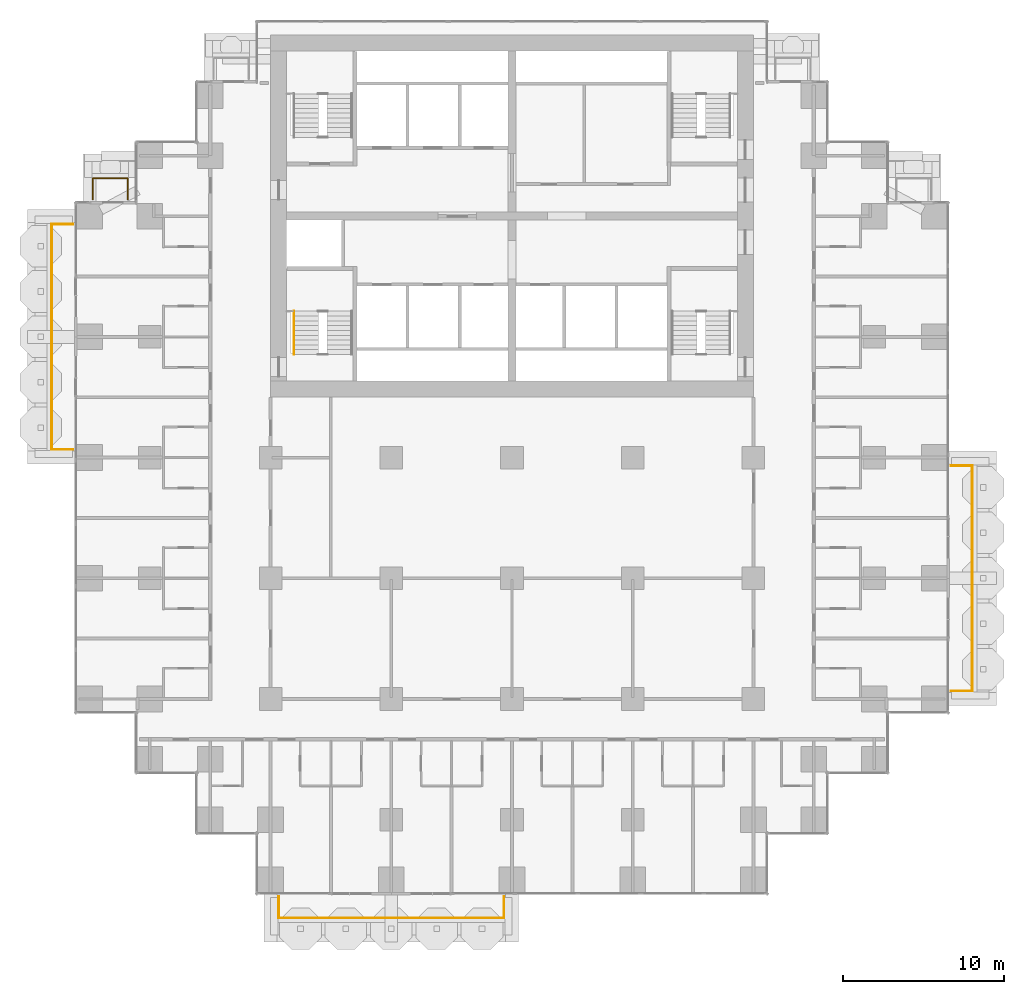
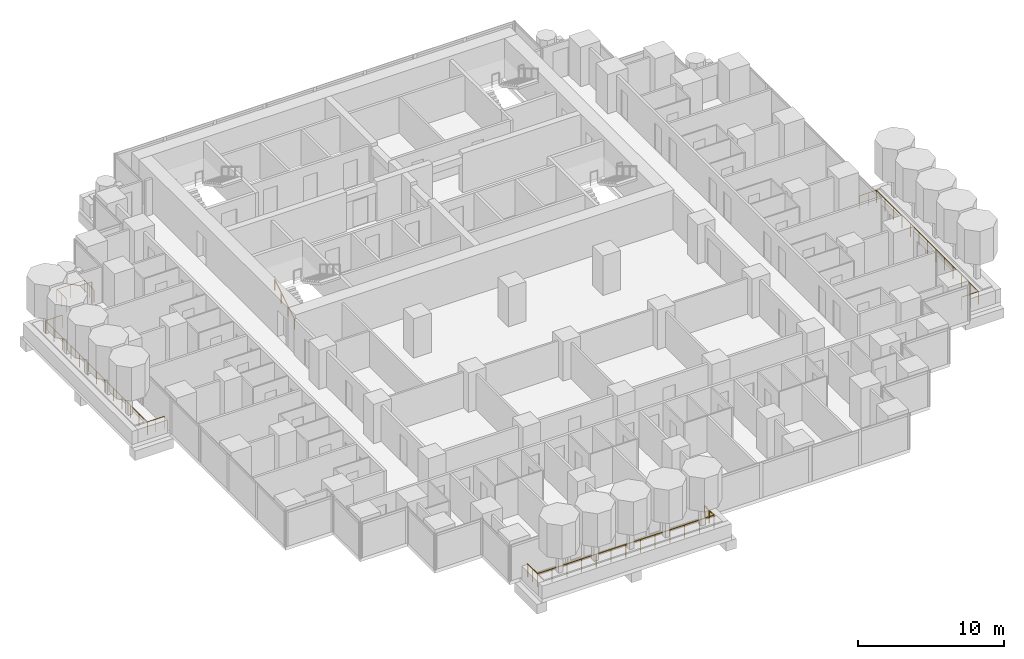
# One storey, part 16 of 18: 5 railings.
"""IFC4 building model written with IfcOpenShell, lengths in metres."""

from ifc_helpers import new_model, si_unit, direction, frame, origin, origin_2d, place, context, subcontext, project, spatial, circle, extrude, material, type_object, element, save


model = new_model("IFC4")

# Units and contexts
model_context = context("Model", 3, precision=1e-05, world=origin(), true_north=direction((0.0, 1.0)))
body_context = subcontext(model_context, "Body", "Model", "MODEL_VIEW")
ifc_project = project(units=[si_unit("LENGTHUNIT", "METRE"), si_unit("AREAUNIT", "SQUARE_METRE"), si_unit("VOLUMEUNIT", "CUBIC_METRE"), si_unit("PLANEANGLEUNIT", "RADIAN"), si_unit("MASSUNIT", "GRAM", prefix="KILO")], contexts=[model_context])

# Site, building, storey
site_placement = place(None, origin())
site = spatial("IfcSite", under=ifc_project, at=site_placement, CompositionType="ELEMENT")
building_placement = place(site_placement, origin())
building = spatial("IfcBuilding", under=site, at=building_placement, Name="Pilkhan Gate Tower", CompositionType="ELEMENT")
storey_placement = place(building_placement, frame((0.0, 0.0, 42.800048828125)))
storey = spatial("IfcBuildingStorey", under=building, at=storey_placement, Name="L07", CompositionType="ELEMENT", Elevation=42.800048828125)

# Railings
ifc_material_1 = material(Name="Pale anodised aluminium posts, laminated glass infill", Category="aluminium")
railing_type_1 = type_object("IfcRailingType", Name="Balcony guard G1", PredefinedType="BALUSTRADE", material=ifc_material_1)
railing_1_placement = place(storey_placement, frame((60.5, 40.22998046875, 0.0)))
element("IfcRailing", 1, at=railing_1_placement, inside=storey, type_object=railing_type_1, Name="Balcony guard L07 S", PredefinedType="BALUSTRADE", context=body_context, shape_type="SweptSolid", body=[
    extrude(circle(Radius=0.02392578125, at=origin_2d()), frame((0.0, 0.0, 1.076171875), z_axis=(0.0, -1.0, 0.0), x_axis=(1.0, 0.0, 0.0)), (0.0, 0.0, 1.0), 1.330078125),
    extrude(circle(Radius=0.02392578125, at=origin_2d()), frame((0.0, -1.330078125, 1.076171875), z_axis=(1.0, 0.0, 0.0), x_axis=(0.0, 1.0, 0.0)), (0.0, 0.0, 1.0), 14.0),
    extrude(circle(Radius=0.02392578125, at=origin_2d()), frame((14.0, -1.330078125, 1.076171875), z_axis=(0.0, 1.0, 0.0), x_axis=(-1.0, 0.0, 0.0)), (0.0, 0.0, 1.0), 1.330078125),
    extrude(circle(Radius=0.02099609375, at=origin_2d()), origin(), (0.0, 0.0, 1.0), 1.052001953125),
    extrude(circle(Radius=0.02099609375, at=origin_2d()), frame((0.0, -0.6650390625, 0.0)), (0.0, 0.0, 1.0), 1.052001953125),
    extrude(circle(Radius=0.02099609375, at=origin_2d()), frame((0.0, -1.330078125, 0.0)), (0.0, 0.0, 1.0), 1.052001953125),
    extrude(circle(Radius=0.02099609375, at=origin_2d()), frame((1.166748046875, -1.330078125, 0.0)), (0.0, 0.0, 1.0), 1.052001953125),
    extrude(circle(Radius=0.02099609375, at=origin_2d()), frame((2.333251953125, -1.330078125, 0.0)), (0.0, 0.0, 1.0), 1.052001953125),
    extrude(circle(Radius=0.02099609375, at=origin_2d()), frame((3.5, -1.330078125, 0.0)), (0.0, 0.0, 1.0), 1.052001953125),
    extrude(circle(Radius=0.02099609375, at=origin_2d()), frame((4.666748046875, -1.330078125, 0.0)), (0.0, 0.0, 1.0), 1.052001953125),
    extrude(circle(Radius=0.02099609375, at=origin_2d()), frame((5.833251953125, -1.330078125, 0.0)), (0.0, 0.0, 1.0), 1.052001953125),
    extrude(circle(Radius=0.02099609375, at=origin_2d()), frame((7.0, -1.330078125, 0.0)), (0.0, 0.0, 1.0), 1.052001953125),
    extrude(circle(Radius=0.02099609375, at=origin_2d()), frame((8.166748046875, -1.330078125, 0.0)), (0.0, 0.0, 1.0), 1.052001953125),
    extrude(circle(Radius=0.02099609375, at=origin_2d()), frame((9.333251953125, -1.330078125, 0.0)), (0.0, 0.0, 1.0), 1.052001953125),
    extrude(circle(Radius=0.02099609375, at=origin_2d()), frame((10.5, -1.330078125, 0.0)), (0.0, 0.0, 1.0), 1.052001953125),
    extrude(circle(Radius=0.02099609375, at=origin_2d()), frame((11.666748046875, -1.330078125, 0.0)), (0.0, 0.0, 1.0), 1.052001953125),
    extrude(circle(Radius=0.02099609375, at=origin_2d()), frame((12.833251953125, -1.330078125, 0.0)), (0.0, 0.0, 1.0), 1.052001953125),
    extrude(circle(Radius=0.02099609375, at=origin_2d()), frame((14.0, -1.330078125, 0.0)), (0.0, 0.0, 1.0), 1.052001953125),
    extrude(circle(Radius=0.02099609375, at=origin_2d()), frame((14.0, -0.6650390625, 0.0)), (0.0, 0.0, 1.0), 1.052001953125),
    extrude(circle(Radius=0.02099609375, at=origin_2d()), frame((14.0, 0.0, 0.0)), (0.0, 0.0, 1.0), 1.052001953125),
])
railing_2_placement = place(storey_placement, frame((102.27001953125, 53.0, 0.0)))
element("IfcRailing", 2, at=railing_2_placement, inside=storey, type_object=railing_type_1, Name="Balcony guard L07 E", PredefinedType="BALUSTRADE", context=body_context, shape_type="SweptSolid", body=[
    extrude(circle(Radius=0.02392578125, at=origin_2d()), frame((0.0, 0.0, 1.076171875), z_axis=(1.0, 0.0, 0.0), x_axis=(0.0, 1.0, 0.0)), (0.0, 0.0, 1.0), 1.330078125),
    extrude(circle(Radius=0.02392578125, at=origin_2d()), frame((1.330078125, 0.0, 1.076171875), z_axis=(0.0, 1.0, 0.0), x_axis=(-1.0, 0.0, 0.0)), (0.0, 0.0, 1.0), 14.0),
    extrude(circle(Radius=0.02392578125, at=origin_2d()), frame((1.330078125, 14.0, 1.076171875), z_axis=(-1.0, 0.0, 0.0), x_axis=(0.0, -1.0, 0.0)), (0.0, 0.0, 1.0), 1.330078125),
    extrude(circle(Radius=0.02099609375, at=origin_2d()), origin(), (0.0, 0.0, 1.0), 1.052001953125),
    extrude(circle(Radius=0.02099609375, at=origin_2d()), frame((0.6650390625, 0.0, 0.0)), (0.0, 0.0, 1.0), 1.052001953125),
    extrude(circle(Radius=0.02099609375, at=origin_2d()), frame((1.330078125, 0.0, 0.0)), (0.0, 0.0, 1.0), 1.052001953125),
    extrude(circle(Radius=0.02099609375, at=origin_2d()), frame((1.330078125, 1.166748046875, 0.0)), (0.0, 0.0, 1.0), 1.052001953125),
    extrude(circle(Radius=0.02099609375, at=origin_2d()), frame((1.330078125, 2.333251953125, 0.0)), (0.0, 0.0, 1.0), 1.052001953125),
    extrude(circle(Radius=0.02099609375, at=origin_2d()), frame((1.330078125, 3.5, 0.0)), (0.0, 0.0, 1.0), 1.052001953125),
    extrude(circle(Radius=0.02099609375, at=origin_2d()), frame((1.330078125, 4.666748046875, 0.0)), (0.0, 0.0, 1.0), 1.052001953125),
    extrude(circle(Radius=0.02099609375, at=origin_2d()), frame((1.330078125, 5.833251953125, 0.0)), (0.0, 0.0, 1.0), 1.052001953125),
    extrude(circle(Radius=0.02099609375, at=origin_2d()), frame((1.330078125, 7.0, 0.0)), (0.0, 0.0, 1.0), 1.052001953125),
    extrude(circle(Radius=0.02099609375, at=origin_2d()), frame((1.330078125, 8.166748046875, 0.0)), (0.0, 0.0, 1.0), 1.052001953125),
    extrude(circle(Radius=0.02099609375, at=origin_2d()), frame((1.330078125, 9.333251953125, 0.0)), (0.0, 0.0, 1.0), 1.052001953125),
    extrude(circle(Radius=0.02099609375, at=origin_2d()), frame((1.330078125, 10.5, 0.0)), (0.0, 0.0, 1.0), 1.052001953125),
    extrude(circle(Radius=0.02099609375, at=origin_2d()), frame((1.330078125, 11.666748046875, 0.0)), (0.0, 0.0, 1.0), 1.052001953125),
    extrude(circle(Radius=0.02099609375, at=origin_2d()), frame((1.330078125, 12.833251953125, 0.0)), (0.0, 0.0, 1.0), 1.052001953125),
    extrude(circle(Radius=0.02099609375, at=origin_2d()), frame((1.330078125, 14.0, 0.0)), (0.0, 0.0, 1.0), 1.052001953125),
    extrude(circle(Radius=0.02099609375, at=origin_2d()), frame((0.6650390625, 14.0, 0.0)), (0.0, 0.0, 1.0), 1.052001953125),
    extrude(circle(Radius=0.02099609375, at=origin_2d()), frame((0.0, 14.0, 0.0)), (0.0, 0.0, 1.0), 1.052001953125),
])
railing_3_placement = place(storey_placement, frame((48.949951171875, 83.5400390625, 0.0)))
element("IfcRailing", 3, at=railing_3_placement, inside=storey, type_object=railing_type_1, Name="Balcony guard L07 N", PredefinedType="BALUSTRADE", context=body_context, shape_type="SweptSolid", body=[
    extrude(circle(Radius=0.02392578125, at=origin_2d()), frame((0.0, 0.0, 1.076171875), z_axis=(0.0, 1.0, 0.0), x_axis=(-1.0, 0.0, 0.0)), (0.0, 0.0, 1.0), 1.31005859375),
    extrude(circle(Radius=0.02392578125, at=origin_2d()), frame((0.0, 1.31005859375, 1.076171875), z_axis=(1.0, 0.0, 0.0), x_axis=(0.0, 1.0, 0.0)), (0.0, 0.0, 1.0), 2.179931640625),
    extrude(circle(Radius=0.02392578125, at=origin_2d()), frame((2.179931640625, 1.31005859375, 1.076171875), z_axis=(0.0, -1.0, 0.0), x_axis=(1.0, 0.0, 0.0)), (0.0, 0.0, 1.0), 1.31005859375),
    extrude(circle(Radius=0.02099609375, at=origin_2d()), origin(), (0.0, 0.0, 1.0), 1.052001953125),
    extrude(circle(Radius=0.02099609375, at=origin_2d()), frame((0.0, 0.655029296875, 0.0)), (0.0, 0.0, 1.0), 1.052001953125),
    extrude(circle(Radius=0.02099609375, at=origin_2d()), frame((0.0, 1.31005859375, 0.0)), (0.0, 0.0, 1.0), 1.052001953125),
    extrude(circle(Radius=0.02099609375, at=origin_2d()), frame((1.08984375, 1.31005859375, 0.0)), (0.0, 0.0, 1.0), 1.052001953125),
    extrude(circle(Radius=0.02099609375, at=origin_2d()), frame((2.179931640625, 1.31005859375, 0.0)), (0.0, 0.0, 1.0), 1.052001953125),
    extrude(circle(Radius=0.02099609375, at=origin_2d()), frame((2.179931640625, 0.655029296875, 0.0)), (0.0, 0.0, 1.0), 1.052001953125),
    extrude(circle(Radius=0.02099609375, at=origin_2d()), frame((2.179931640625, 0.0, 0.0)), (0.0, 0.0, 1.0), 1.052001953125),
])
railing_4_placement = place(storey_placement, frame((47.72998046875, 68.0, 0.0)))
element("IfcRailing", 4, at=railing_4_placement, inside=storey, type_object=railing_type_1, Name="Balcony guard L07 W", PredefinedType="BALUSTRADE", context=body_context, shape_type="SweptSolid", body=[
    extrude(circle(Radius=0.02392578125, at=origin_2d()), frame((0.0, 0.0, 1.076171875), z_axis=(-1.0, 0.0, 0.0), x_axis=(0.0, -1.0, 0.0)), (0.0, 0.0, 1.0), 1.330078125),
    extrude(circle(Radius=0.02392578125, at=origin_2d()), frame((-1.330078125, 0.0, 1.076171875), z_axis=(0.0, 1.0, 0.0), x_axis=(-1.0, 0.0, 0.0)), (0.0, 0.0, 1.0), 14.0),
    extrude(circle(Radius=0.02392578125, at=origin_2d()), frame((-1.330078125, 14.0, 1.076171875), z_axis=(1.0, 0.0, 0.0), x_axis=(0.0, 1.0, 0.0)), (0.0, 0.0, 1.0), 1.330078125),
    extrude(circle(Radius=0.02099609375, at=origin_2d()), origin(), (0.0, 0.0, 1.0), 1.052001953125),
    extrude(circle(Radius=0.02099609375, at=origin_2d()), frame((-0.6650390625, 0.0, 0.0)), (0.0, 0.0, 1.0), 1.052001953125),
    extrude(circle(Radius=0.02099609375, at=origin_2d()), frame((-1.330078125, 0.0, 0.0)), (0.0, 0.0, 1.0), 1.052001953125),
    extrude(circle(Radius=0.02099609375, at=origin_2d()), frame((-1.330078125, 1.166748046875, 0.0)), (0.0, 0.0, 1.0), 1.052001953125),
    extrude(circle(Radius=0.02099609375, at=origin_2d()), frame((-1.330078125, 2.333251953125, 0.0)), (0.0, 0.0, 1.0), 1.052001953125),
    extrude(circle(Radius=0.02099609375, at=origin_2d()), frame((-1.330078125, 3.5, 0.0)), (0.0, 0.0, 1.0), 1.052001953125),
    extrude(circle(Radius=0.02099609375, at=origin_2d()), frame((-1.330078125, 4.666748046875, 0.0)), (0.0, 0.0, 1.0), 1.052001953125),
    extrude(circle(Radius=0.02099609375, at=origin_2d()), frame((-1.330078125, 5.833251953125, 0.0)), (0.0, 0.0, 1.0), 1.052001953125),
    extrude(circle(Radius=0.02099609375, at=origin_2d()), frame((-1.330078125, 7.0, 0.0)), (0.0, 0.0, 1.0), 1.052001953125),
    extrude(circle(Radius=0.02099609375, at=origin_2d()), frame((-1.330078125, 8.166748046875, 0.0)), (0.0, 0.0, 1.0), 1.052001953125),
    extrude(circle(Radius=0.02099609375, at=origin_2d()), frame((-1.330078125, 9.333251953125, 0.0)), (0.0, 0.0, 1.0), 1.052001953125),
    extrude(circle(Radius=0.02099609375, at=origin_2d()), frame((-1.330078125, 10.5, 0.0)), (0.0, 0.0, 1.0), 1.052001953125),
    extrude(circle(Radius=0.02099609375, at=origin_2d()), frame((-1.330078125, 11.666748046875, 0.0)), (0.0, 0.0, 1.0), 1.052001953125),
    extrude(circle(Radius=0.02099609375, at=origin_2d()), frame((-1.330078125, 12.833251953125, 0.0)), (0.0, 0.0, 1.0), 1.052001953125),
    extrude(circle(Radius=0.02099609375, at=origin_2d()), frame((-1.330078125, 14.0, 0.0)), (0.0, 0.0, 1.0), 1.052001953125),
    extrude(circle(Radius=0.02099609375, at=origin_2d()), frame((-0.6650390625, 14.0, 0.0)), (0.0, 0.0, 1.0), 1.052001953125),
    extrude(circle(Radius=0.02099609375, at=origin_2d()), frame((0.0, 14.0, 0.0)), (0.0, 0.0, 1.0), 1.052001953125),
])
ifc_material_2 = material(Name="Black powder-coated steel tube", Category="steel")
railing_type_2 = type_object("IfcRailingType", Name="Stair handrail HR1", PredefinedType="HANDRAIL", material=ifc_material_2)
railing_5_placement = place(storey_placement, frame((61.449951171875, 73.89990234375, 0.0)))
element("IfcRailing", 5, at=railing_5_placement, inside=storey, type_object=railing_type_2, Name="Stair ST2 handrail L07", PredefinedType="HANDRAIL", context=body_context, shape_type="SweptSolid", body=[
    extrude(circle(Radius=0.02392578125, at=origin_2d()), frame((0.0, 0.0, 0.8759765625), z_axis=(0.0, 0.853312346642, 0.521400075823), x_axis=(-1.0, 0.0, 0.0)), (0.0, 0.0, 1.0), 3.164306640625),
    extrude(circle(Radius=0.02099609375, at=origin_2d()), origin(), (0.0, 0.0, 1.0), 0.851806640625),
    extrude(circle(Radius=0.02099609375, at=origin_2d()), frame((0.0, 0.900146484375, 0.550048828125)), (0.0, 0.0, 1.0), 0.851806640625),
    extrude(circle(Radius=0.02099609375, at=origin_2d()), frame((0.0, 1.800048828125, 1.099853515625)), (0.0, 0.0, 1.0), 0.851806640625),
    extrude(circle(Radius=0.02099609375, at=origin_2d()), frame((0.0, 2.7001953125, 1.64990234375)), (0.0, 0.0, 1.0), 0.851806640625),
])

save(model, "model.ifc")
